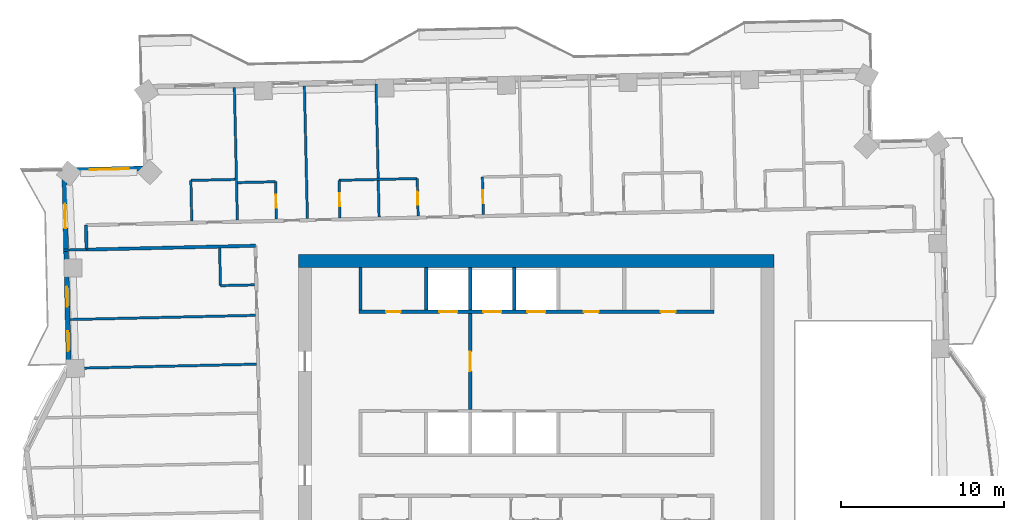
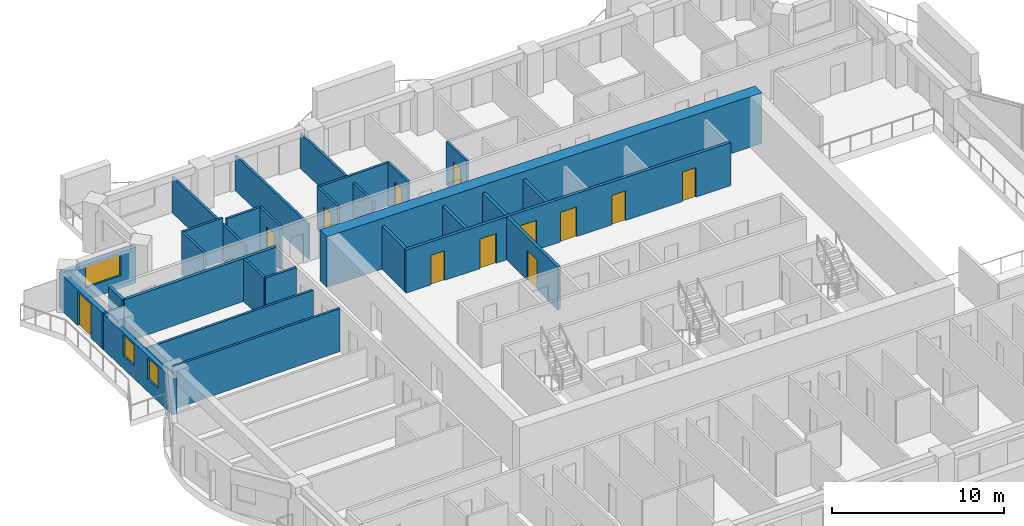
# One storey, part 10 of 16: 27 walls, 12 doors, 3 windows, 15 openings.
"""IFC4 building model written with IfcOpenShell, lengths in metres."""

from ifc_helpers import new_model, si_unit, direction, frame, frame_2d, origin, place, context, subcontext, project, spatial, rectangle, extrude, material, layer, layer_set, type_object, element, fill, save


model = new_model("IFC4")

# Units and contexts
model_context = context("Model", 3, precision=1e-05, world=origin(), true_north=direction((0.0, 1.0)))
body_context = subcontext(model_context, "Body", "Model", "MODEL_VIEW")
ifc_project = project(units=[si_unit("LENGTHUNIT", "METRE"), si_unit("AREAUNIT", "SQUARE_METRE"), si_unit("VOLUMEUNIT", "CUBIC_METRE"), si_unit("PLANEANGLEUNIT", "RADIAN"), si_unit("MASSUNIT", "GRAM", prefix="KILO")], contexts=[model_context])

# Site, building, storey
site_placement = place(None, origin())
site = spatial("IfcSite", under=ifc_project, at=site_placement, CompositionType="ELEMENT")
building_placement = place(site_placement, origin())
building = spatial("IfcBuilding", under=site, at=building_placement, Name="Mangrove Gate Tower", CompositionType="ELEMENT")
storey_placement = place(building_placement, frame((0.0, 0.0, 231.10009765625)))
storey = spatial("IfcBuildingStorey", under=building, at=storey_placement, Name="L58", CompositionType="ELEMENT", Elevation=231.10009765625)

# Wall, opening, door
ifc_material_1 = material(Name="Concrete C32/40", Category="concrete")
ifc_layer_1 = layer(ifc_material_1, 0.199951171875)
ifc_layer_set_1 = layer_set([ifc_layer_1], Name="Core lobby wall 200 C32/40")
wall_type_1 = type_object("IfcWallType", Name="Core lobby wall 200 C32/40", PredefinedType="STANDARD", material=ifc_layer_set_1)
wall_1_placement = place(storey_placement, frame((-4.050048828125, 2.10009765625, 0.0), z_axis=(0.0, 0.0, 1.0), x_axis=(0.0, 1.0, 0.0)))
wall_1 = element("IfcWall", 1, at=wall_1_placement, inside=storey, type_object=wall_type_1, Name="WALL-L58-CORE-33", PredefinedType="STANDARD", context=body_context, shape_type="SweptSolid", body=[
    extrude(rectangle(XDim=5.89990234375, YDim=0.199951171875, at=frame_2d((2.949951171875, 0.0))), origin(), (0.0, 0.0, 1.0), 3.0498046875),
])
opening_1_placement = place(wall_1_placement, frame((2.35009765625, 0.0, 0.0)))
opening_1 = element("IfcOpeningElement", 2, at=opening_1_placement, cuts=wall_1, Name="Opening FL12", PredefinedType="OPENING", context=body_context, shape_type="SweptSolid", body=[
    extrude(rectangle(XDim=1.199951171875, YDim=2.10009765625, at=frame_2d((0.60009765625, 1.050048828125))), frame((0.0, 0.10986328125, 0.0), z_axis=(0.0, -1.0, 0.0), x_axis=(1.0, 0.0, 0.0)), (0.0, 0.0, 1.0), 0.219970703125),
])
ifc_material_2 = material(Name="Fire-rated steel door set", Category="steel")
door_type_1 = type_object("IfcDoorType", Name="Lobby door FD60 1200x2100", OperationType="SINGLE_SWING_LEFT", PredefinedType="DOOR", material=ifc_material_2)
door_1_placement = place(opening_1_placement, origin())
door_1 = element("IfcDoor", 3, at=door_1_placement, inside=storey, type_object=door_type_1, Name="Lobby door lift lobby partition", OperationType="SINGLE_SWING_LEFT", OverallHeight=2.10009765625, OverallWidth=1.199951171875, PredefinedType="DOOR", context=body_context, shape_type="SweptSolid", body=[
    extrude(rectangle(XDim=1.199951171875, YDim=2.10009765625, at=frame_2d((0.60009765625, 1.050048828125))), frame((0.0, 0.02490234375, 0.0), z_axis=(0.0, -1.0, 0.0), x_axis=(1.0, 0.0, 0.0)), (0.0, 0.0, 1.0), 0.050048828125),
])
fill(opening_1, door_1)

# Wall
ifc_material_3 = material(Name="Concrete C32/40", Category="concrete")
ifc_layer_2 = layer(ifc_material_3, 0.199951171875)
ifc_layer_set_2 = layer_set([ifc_layer_2], Name="Core room wall 200 C32/40")
wall_type_2 = type_object("IfcWallType", Name="Core room wall 200 C32/40", PredefinedType="STANDARD", material=ifc_layer_set_2)
wall_2_placement = place(storey_placement, frame((-10.800048828125, 8.199951171875, 0.0), z_axis=(0.0, 0.0, 1.0), x_axis=(0.0, 1.0, 0.0)))
element("IfcWall", 4, at=wall_2_placement, inside=storey, type_object=wall_type_2, Name="WALL-L58-CORE-26", PredefinedType="STANDARD", context=body_context, shape_type="SweptSolid", body=[
    extrude(rectangle(XDim=2.60009765625, YDim=0.199951171875, at=frame_2d((1.300048828125, 0.0))), origin(), (0.0, 0.0, 1.0), 3.0498046875),
])

# Wall, openings, doors
ifc_material_4 = material(Name="Concrete C60/75", Category="concrete")
ifc_layer_3 = layer(ifc_material_4, 0.199951171875)
ifc_layer_set_3 = layer_set([ifc_layer_3], Name="Core shaft wall 200 C60/75")
wall_type_3 = type_object("IfcWallType", Name="Core shaft wall 200 C60/75", PredefinedType="SHEAR", material=ifc_layer_set_3)
wall_3_placement = place(storey_placement, frame((-10.89990234375, 8.10009765625, 0.0), z_axis=(0.0, 0.0, 1.0), x_axis=(1.0, 0.0, 0.0)))
wall_3 = element("IfcWall", 5, at=wall_3_placement, inside=storey, type_object=wall_type_3, Name="WALL-L58-CORE-8", PredefinedType="SHEAR", context=body_context, shape_type="SweptSolid", body=[
    extrude(rectangle(XDim=21.7998046875, YDim=0.199951171875, at=frame_2d((10.89990234375, 0.0))), origin(), (0.0, 0.0, 1.0), 3.0498046875),
])
opening_2_placement = place(wall_3_placement, frame((4.949951171875, 0.0, 0.0)))
opening_2 = element("IfcOpeningElement", 6, at=opening_2_placement, cuts=wall_3, Name="Opening LD", PredefinedType="OPENING", context=body_context, shape_type="SweptSolid", body=[
    extrude(rectangle(XDim=1.10009765625, YDim=2.10009765625, at=frame_2d((0.550048828125, 1.050048828125))), frame((0.0, 0.10986328125, 0.0), z_axis=(0.0, -1.0, 0.0), x_axis=(1.0, 0.0, 0.0)), (0.0, 0.0, 1.0), 0.219970703125),
])
opening_3_placement = place(wall_3_placement, frame((7.64990234375, 0.0, 0.0)))
opening_3 = element("IfcOpeningElement", 7, at=opening_3_placement, cuts=wall_3, Name="Opening LD", PredefinedType="OPENING", context=body_context, shape_type="SweptSolid", body=[
    extrude(rectangle(XDim=1.10009765625, YDim=2.10009765625, at=frame_2d((0.550048828125, 1.050048828125))), frame((0.0, 0.10986328125, 0.0), z_axis=(0.0, -1.0, 0.0), x_axis=(1.0, 0.0, 0.0)), (0.0, 0.0, 1.0), 0.219970703125),
])
opening_4_placement = place(wall_3_placement, frame((10.35009765625, 0.0, 0.0)))
opening_4 = element("IfcOpeningElement", 8, at=opening_4_placement, cuts=wall_3, Name="Opening LD", PredefinedType="OPENING", context=body_context, shape_type="SweptSolid", body=[
    extrude(rectangle(XDim=1.10009765625, YDim=2.10009765625, at=frame_2d((0.550048828125, 1.050048828125))), frame((0.0, 0.10986328125, 0.0), z_axis=(0.0, -1.0, 0.0), x_axis=(1.0, 0.0, 0.0)), (0.0, 0.0, 1.0), 0.219970703125),
])
opening_5_placement = place(wall_3_placement, frame((1.675048828125, 0.0, 0.0)))
opening_5 = element("IfcOpeningElement", 9, at=opening_5_placement, cuts=wall_3, Name="Opening KD", PredefinedType="OPENING", context=body_context, shape_type="SweptSolid", body=[
    extrude(rectangle(XDim=0.89990234375, YDim=2.10009765625, at=frame_2d((0.449951171875, 1.050048828125))), frame((0.0, 0.10986328125, 0.0), z_axis=(0.0, -1.0, 0.0), x_axis=(1.0, 0.0, 0.0)), (0.0, 0.0, 1.0), 0.219970703125),
])
opening_6_placement = place(wall_3_placement, frame((13.824951171875, 0.0, 0.0)))
opening_6 = element("IfcOpeningElement", 10, at=opening_6_placement, cuts=wall_3, Name="Opening KD", PredefinedType="OPENING", context=body_context, shape_type="SweptSolid", body=[
    extrude(rectangle(XDim=0.89990234375, YDim=2.10009765625, at=frame_2d((0.449951171875, 1.050048828125))), frame((0.0, 0.10986328125, 0.0), z_axis=(0.0, -1.0, 0.0), x_axis=(1.0, 0.0, 0.0)), (0.0, 0.0, 1.0), 0.219970703125),
])
opening_7_placement = place(wall_3_placement, frame((18.550048828125, 0.0, 0.0)))
opening_7 = element("IfcOpeningElement", 11, at=opening_7_placement, cuts=wall_3, Name="Opening RD", PredefinedType="OPENING", context=body_context, shape_type="SweptSolid", body=[
    extrude(rectangle(XDim=0.89990234375, YDim=2.10009765625, at=frame_2d((0.449951171875, 1.050048828125))), frame((0.0, 0.10986328125, 0.0), z_axis=(0.0, -1.0, 0.0), x_axis=(1.0, 0.0, 0.0)), (0.0, 0.0, 1.0), 0.219970703125),
])
ifc_material_5 = material(Name="Fire-rated steel door set", Category="steel")
door_type_2 = type_object("IfcDoorType", Name="Core room door FD30S 900x2100", OperationType="SINGLE_SWING_RIGHT", PredefinedType="DOOR", material=ifc_material_5)
door_2_placement = place(opening_5_placement, origin())
door_2 = element("IfcDoor", 12, at=door_2_placement, inside=storey, type_object=door_type_2, Name="Core room door Cleaner's store", OperationType="SINGLE_SWING_RIGHT", OverallHeight=2.10009765625, OverallWidth=0.89990234375, PredefinedType="DOOR", context=body_context, shape_type="SweptSolid", body=[
    extrude(rectangle(XDim=0.89990234375, YDim=2.10009765625, at=frame_2d((0.449951171875, 1.050048828125))), frame((0.0, 0.02490234375, 0.0), z_axis=(0.0, -1.0, 0.0), x_axis=(1.0, 0.0, 0.0)), (0.0, 0.0, 1.0), 0.050048828125),
])
fill(opening_5, door_2)
door_3_placement = place(opening_6_placement, origin())
door_3 = element("IfcDoor", 13, at=door_3_placement, inside=storey, type_object=door_type_2, Name="Core room door Refuse store", OperationType="SINGLE_SWING_RIGHT", OverallHeight=2.10009765625, OverallWidth=0.89990234375, PredefinedType="DOOR", context=body_context, shape_type="SweptSolid", body=[
    extrude(rectangle(XDim=0.89990234375, YDim=2.10009765625, at=frame_2d((0.449951171875, 1.050048828125))), frame((0.0, 0.02490234375, 0.0), z_axis=(0.0, -1.0, 0.0), x_axis=(1.0, 0.0, 0.0)), (0.0, 0.0, 1.0), 0.050048828125),
])
fill(opening_6, door_3)
ifc_material_6 = material(Name="Stainless steel 316", Category="steel")
door_type_3 = type_object("IfcDoorType", Name="Lift landing door 1100x2100", OperationType="SLIDING_TO_LEFT", PredefinedType="DOOR", material=ifc_material_6)
door_4_placement = place(opening_2_placement, origin())
door_4 = element("IfcDoor", 14, at=door_4_placement, inside=storey, type_object=door_type_3, Name="Landing door LD H04", OperationType="SLIDING_TO_LEFT", OverallHeight=2.10009765625, OverallWidth=1.10009765625, PredefinedType="DOOR", context=body_context, shape_type="SweptSolid", body=[
    extrude(rectangle(XDim=1.10009765625, YDim=2.10009765625, at=frame_2d((0.550048828125, 1.050048828125))), frame((0.0, 0.02490234375, 0.0), z_axis=(0.0, -1.0, 0.0), x_axis=(1.0, 0.0, 0.0)), (0.0, 0.0, 1.0), 0.050048828125),
])
fill(opening_2, door_4)
door_5_placement = place(opening_3_placement, origin())
door_5 = element("IfcDoor", 15, at=door_5_placement, inside=storey, type_object=door_type_3, Name="Landing door LD H05", OperationType="SLIDING_TO_LEFT", OverallHeight=2.10009765625, OverallWidth=1.10009765625, PredefinedType="DOOR", context=body_context, shape_type="SweptSolid", body=[
    extrude(rectangle(XDim=1.10009765625, YDim=2.10009765625, at=frame_2d((0.550048828125, 1.050048828125))), frame((0.0, 0.02490234375, 0.0), z_axis=(0.0, -1.0, 0.0), x_axis=(1.0, 0.0, 0.0)), (0.0, 0.0, 1.0), 0.050048828125),
])
fill(opening_3, door_5)
door_6_placement = place(opening_4_placement, origin())
door_6 = element("IfcDoor", 16, at=door_6_placement, inside=storey, type_object=door_type_3, Name="Landing door LD H06", OperationType="SLIDING_TO_LEFT", OverallHeight=2.10009765625, OverallWidth=1.10009765625, PredefinedType="DOOR", context=body_context, shape_type="SweptSolid", body=[
    extrude(rectangle(XDim=1.10009765625, YDim=2.10009765625, at=frame_2d((0.550048828125, 1.050048828125))), frame((0.0, 0.02490234375, 0.0), z_axis=(0.0, -1.0, 0.0), x_axis=(1.0, 0.0, 0.0)), (0.0, 0.0, 1.0), 0.050048828125),
])
fill(opening_4, door_6)
ifc_material_7 = material(Name="Fire-rated steel door set", Category="steel")
door_type_4 = type_object("IfcDoorType", Name="Riser door FD30S 900x2100", OperationType="SINGLE_SWING_LEFT", PredefinedType="DOOR", material=ifc_material_7)
door_7_placement = place(opening_7_placement, origin())
door_7 = element("IfcDoor", 17, at=door_7_placement, inside=storey, type_object=door_type_4, Name="Riser door Electrical room", OperationType="SINGLE_SWING_LEFT", OverallHeight=2.10009765625, OverallWidth=0.89990234375, PredefinedType="DOOR", context=body_context, shape_type="SweptSolid", body=[
    extrude(rectangle(XDim=0.89990234375, YDim=2.10009765625, at=frame_2d((0.449951171875, 1.050048828125))), frame((0.0, 0.02490234375, 0.0), z_axis=(0.0, -1.0, 0.0), x_axis=(1.0, 0.0, 0.0)), (0.0, 0.0, 1.0), 0.050048828125),
])
fill(opening_7, door_7)

# Walls
for number, where, z_axis, x_axis, name in (
    (18, (-6.75, 8.199951171875, 0.0), (0.0, 0.0, 1.0), (0.0, 1.0, 0.0), "WALL-L58-CORE-27"),
    (19, (-4.050048828125, 8.199951171875, 0.0), (0.0, 0.0, 1.0), (0.0, 1.0, 0.0), "WALL-L58-CORE-28"),
    (20, (-1.35009765625, 8.199951171875, 0.0), (0.0, 0.0, 1.0), (0.0, 1.0, 0.0), "WALL-L58-CORE-29"),
):
    element("IfcWall", number, at=place(storey_placement, frame(where, z_axis=z_axis, x_axis=x_axis)), inside=storey, type_object=wall_type_3, Name=name, PredefinedType="SHEAR", context=body_context, shape_type="SweptSolid", body=[
        extrude(rectangle(XDim=2.60009765625, YDim=0.199951171875, at=frame_2d((1.300048828125, 0.0))), origin(), (0.0, 0.0, 1.0), 3.0498046875),
    ])
ifc_material_8 = material(Name="Concrete C60/75", Category="concrete")
ifc_layer_4 = layer(ifc_material_8, 0.800048828125)
ifc_layer_set_4 = layer_set([ifc_layer_4], Name="Core wall 800 C60/75")
wall_type_4 = type_object("IfcWallType", Name="Core wall 800 C60/75", PredefinedType="SHEAR", material=ifc_layer_set_4)
wall_4_placement = place(storey_placement, frame((-14.60009765625, 11.199951171875, 0.0), z_axis=(0.0, 0.0, 1.0), x_axis=(1.0, 0.0, 0.0)))
element("IfcWall", 21, at=wall_4_placement, inside=storey, type_object=wall_type_4, Name="WALL-L58-CORE-2", PredefinedType="SHEAR", context=body_context, shape_type="SweptSolid", body=[
    extrude(rectangle(XDim=29.2001953125, YDim=0.800048828125, at=frame_2d((14.60009765625, 0.0))), origin(), (0.0, 0.0, 1.0), 3.599853515625),
])
ifc_material_9 = material(Name="Gypsum board on steel stud, EI 60", Category="steel")
ifc_layer_5 = layer(ifc_material_9, 0.199951171875)
ifc_layer_set_5 = layer_set([ifc_layer_5], Name="Corridor wall EI 60")
wall_type_5 = type_object("IfcWallType", Name="Corridor wall EI 60", PredefinedType="PARTITIONING", material=ifc_layer_set_5)
wall_5_placement = place(storey_placement, frame((-27.617919921875, 11.9130859375, 0.0), z_axis=(0.0, 0.0, 1.0), x_axis=(0.999741483035, 0.022736910479, 0.0)))
element("IfcWall", 22, at=wall_5_placement, inside=storey, type_object=wall_type_5, Name="WALL-L58-048", PredefinedType="PARTITIONING", context=body_context, shape_type="SweptSolid", body=[
    extrude(rectangle(XDim=10.37255859375, YDim=0.199951171875, at=frame_2d((5.186279296875, 0.0))), origin(), (0.0, 0.0, 1.0), 3.0498046875),
])
wall_6_placement = place(storey_placement, frame((-27.614013671875, 11.9130859375, 0.0), z_axis=(0.0, 0.0, 1.0), x_axis=(-0.022617910375, 0.999744182344, 0.0)))
element("IfcWall", 23, at=wall_6_placement, inside=storey, type_object=wall_type_5, Name="WALL-L58-049", PredefinedType="PARTITIONING", context=body_context, shape_type="SweptSolid", body=[
    extrude(rectangle(XDim=1.50048828125, YDim=0.199951171875, at=frame_2d((0.750244140625, 0.0))), origin(), (0.0, 0.0, 1.0), 3.0498046875),
])

# Wall, opening, window
ifc_material_10 = material(Name="Limestone", Category="masonry")
ifc_layer_6 = layer(ifc_material_10, 0.0400390625, Name="Limestone cladding")
ifc_material_11 = material(Name="Ventilated air gap")
ifc_layer_7 = layer(ifc_material_11, 0.0400390625, Name="Ventilated cavity")
ifc_material_12 = material(Name="Mineral wool insulation")
ifc_layer_8 = layer(ifc_material_12, 0.06005859375, Name="Insulation")
ifc_material_13 = material(Name="Breather membrane")
ifc_layer_9 = layer(ifc_material_13, 0.001953125, Name="Breather membrane")
ifc_material_14 = material(Name="Concrete C20/25 blockwork", Category="masonry")
ifc_layer_10 = layer(ifc_material_14, 0.14990234375, Name="Blockwork backing wall")
ifc_material_15 = material(Name="Gypsum plaster")
ifc_layer_11 = layer(ifc_material_15, 0.008056640625, Name="Internal plaster")
ifc_layer_set_6 = layer_set([ifc_layer_6, ifc_layer_7, ifc_layer_8, ifc_layer_9, ifc_layer_10, ifc_layer_11], Name="External wall 300 limestone cladding")
wall_type_6 = type_object("IfcWallType", Name="External wall 300 limestone cladding", PredefinedType="SOLIDWALL", material=ifc_layer_set_6)
wall_7_placement = place(storey_placement, frame((-23.98095703125, 16.89697265625, 0.0), z_axis=(0.0, 0.0, 1.0), x_axis=(-0.999744350543, -0.022610474516, 0.0)))
wall_7 = element("IfcWall", 24, at=wall_7_placement, inside=storey, type_object=wall_type_6, Name="WALL-L58-N7", PredefinedType="SOLIDWALL", context=body_context, shape_type="SweptSolid", body=[
    extrude(rectangle(XDim=4.999267578125, YDim=0.300048828125, at=frame_2d((2.49951171875, 0.0))), origin(), (0.0, 0.0, 1.0), 2.5498046875),
])
opening_8_placement = place(wall_7_placement, frame((1.0439453125, 0.0, 0.89990234375)))
opening_8 = element("IfcOpeningElement", 25, at=opening_8_placement, cuts=wall_7, Name="Opening W2", PredefinedType="OPENING", context=body_context, shape_type="SweptSolid", body=[
    extrude(rectangle(XDim=2.39990234375, YDim=1.5, at=frame_2d((1.199951171875, 0.75))), frame((0.0, 0.159912109375, 0.0), z_axis=(0.0, -1.0, 0.0), x_axis=(1.0, 0.0, 0.0)), (0.0, 0.0, 1.0), 0.320068359375),
])
ifc_material_16 = material(Name="Aluminium frame with double-glazed low-e glass", Category="aluminium")
window_type_1 = type_object("IfcWindowType", Name="Corner room window 2400x1500", PartitioningType="DOUBLE_PANEL_VERTICAL", PredefinedType="WINDOW", material=ifc_material_16)
window_1_placement = place(opening_8_placement, origin())
window_1 = element("IfcWindow", 26, at=window_1_placement, inside=storey, type_object=window_type_1, Name="WIN-L58-N7-1", OverallHeight=1.5, OverallWidth=2.39990234375, PartitioningType="DOUBLE_PANEL_VERTICAL", PredefinedType="WINDOW", context=body_context, shape_type="SweptSolid", body=[
    extrude(rectangle(XDim=2.39990234375, YDim=1.5, at=frame_2d((1.199951171875, 0.75))), frame((0.0, 0.030029296875, 0.0), z_axis=(0.0, -1.0, 0.0), x_axis=(1.0, 0.0, 0.0)), (0.0, 0.0, 1.0), 0.06005859375),
])
fill(opening_8, window_1)

# Wall, openings, door, windows
wall_8_placement = place(storey_placement, frame((-28.97900390625, 16.783935546875, 0.0), z_axis=(0.0, 0.0, 1.0), x_axis=(0.022640773908, -0.999743664825, 0.0)))
wall_8 = element("IfcWall", 27, at=wall_8_placement, inside=storey, type_object=wall_type_6, Name="WALL-L58-W8s1", PredefinedType="SOLIDWALL", context=body_context, shape_type="SweptSolid", body=[
    extrude(rectangle(XDim=12.72412109375, YDim=0.300048828125, at=frame_2d((6.362060546875, 0.0))), origin(), (0.0, 0.0, 1.0), 2.5498046875),
])
opening_9_placement = place(wall_8_placement, frame((2.06005859375, 0.0, 0.0)))
opening_9 = element("IfcOpeningElement", 28, at=opening_9_placement, cuts=wall_8, Name="Opening BD1", PredefinedType="OPENING", context=body_context, shape_type="SweptSolid", body=[
    extrude(rectangle(XDim=1.5, YDim=2.39990234375, at=frame_2d((0.75, 1.199951171875))), frame((0.0, 0.159912109375, 0.0), z_axis=(0.0, -1.0, 0.0), x_axis=(1.0, 0.0, 0.0)), (0.0, 0.0, 1.0), 0.320068359375),
])
opening_10_placement = place(wall_8_placement, frame((7.1689453125, 0.0, 0.89990234375)))
opening_10 = element("IfcOpeningElement", 29, at=opening_10_placement, cuts=wall_8, Name="Opening W1", PredefinedType="OPENING", context=body_context, shape_type="SweptSolid", body=[
    extrude(rectangle(XDim=1.199951171875, YDim=1.5, at=frame_2d((0.60009765625, 0.75))), frame((0.0, 0.159912109375, 0.0), z_axis=(0.0, -1.0, 0.0), x_axis=(1.0, 0.0, 0.0)), (0.0, 0.0, 1.0), 0.320068359375),
])
opening_11_placement = place(wall_8_placement, frame((9.89892578125, 0.0, 0.89990234375)))
opening_11 = element("IfcOpeningElement", 30, at=opening_11_placement, cuts=wall_8, Name="Opening W1", PredefinedType="OPENING", context=body_context, shape_type="SweptSolid", body=[
    extrude(rectangle(XDim=1.199951171875, YDim=1.5, at=frame_2d((0.60009765625, 0.75))), frame((0.0, 0.159912109375, 0.0), z_axis=(0.0, -1.0, 0.0), x_axis=(1.0, 0.0, 0.0)), (0.0, 0.0, 1.0), 0.320068359375),
])
ifc_material_17 = material(Name="Aluminium frame with laminated clear glass", Category="aluminium")
door_type_5 = type_object("IfcDoorType", Name="Balcony sliding door 1500x2400", OperationType="SLIDING_TO_LEFT", PredefinedType="DOOR", material=ifc_material_17)
door_8_placement = place(opening_9_placement, origin())
door_8 = element("IfcDoor", 31, at=door_8_placement, inside=storey, type_object=door_type_5, Name="DOOR-L58-W8-1", OperationType="SLIDING_TO_LEFT", OverallHeight=2.39990234375, OverallWidth=1.5, PredefinedType="DOOR", context=body_context, shape_type="SweptSolid", body=[
    extrude(rectangle(XDim=1.5, YDim=2.39990234375, at=frame_2d((0.75, 1.199951171875))), frame((0.0, 0.02490234375, 0.0), z_axis=(0.0, -1.0, 0.0), x_axis=(1.0, 0.0, 0.0)), (0.0, 0.0, 1.0), 0.050048828125),
])
fill(opening_9, door_8)
ifc_material_18 = material(Name="Aluminium frame with double-glazed low-e glass", Category="aluminium")
window_type_2 = type_object("IfcWindowType", Name="Side lite 1200x1500", PartitioningType="SINGLE_PANEL", PredefinedType="WINDOW", material=ifc_material_18)
window_2_placement = place(opening_10_placement, origin())
window_2 = element("IfcWindow", 32, at=window_2_placement, inside=storey, type_object=window_type_2, Name="WIN-L58-W8-2", OverallHeight=1.5, OverallWidth=1.199951171875, PartitioningType="SINGLE_PANEL", PredefinedType="WINDOW", context=body_context, shape_type="SweptSolid", body=[
    extrude(rectangle(XDim=1.199951171875, YDim=1.5, at=frame_2d((0.60009765625, 0.75))), frame((0.0, 0.030029296875, 0.0), z_axis=(0.0, -1.0, 0.0), x_axis=(1.0, 0.0, 0.0)), (0.0, 0.0, 1.0), 0.06005859375),
])
fill(opening_10, window_2)
window_3_placement = place(opening_11_placement, origin())
window_3 = element("IfcWindow", 33, at=window_3_placement, inside=storey, type_object=window_type_2, Name="WIN-L58-W8-3", OverallHeight=1.5, OverallWidth=1.199951171875, PartitioningType="SINGLE_PANEL", PredefinedType="WINDOW", context=body_context, shape_type="SweptSolid", body=[
    extrude(rectangle(XDim=1.199951171875, YDim=1.5, at=frame_2d((0.60009765625, 0.75))), frame((0.0, 0.030029296875, 0.0), z_axis=(0.0, -1.0, 0.0), x_axis=(1.0, 0.0, 0.0)), (0.0, 0.0, 1.0), 0.06005859375),
])
fill(opening_11, window_3)

# Walls
ifc_material_19 = material(Name="Gypsum board on steel stud, EI 60", Category="steel")
ifc_layer_12 = layer(ifc_material_19, 0.14990234375)
ifc_layer_set_7 = layer_set([ifc_layer_12], Name="Party wall 150 EI 60")
wall_type_7 = type_object("IfcWallType", Name="Party wall 150 EI 60", PredefinedType="PARTITIONING", material=ifc_layer_set_7)
wall_9_placement = place(storey_placement, frame((-28.553955078125, 4.6201171875, 0.0), z_axis=(0.0, 0.0, 1.0), x_axis=(0.999743064147, 0.022667282356, 0.0)))
element("IfcWall", 34, at=wall_9_placement, inside=storey, type_object=wall_type_7, Name="WALL-L58-042", PredefinedType="PARTITIONING", context=body_context, shape_type="SweptSolid", body=[
    extrude(rectangle(XDim=11.373779296875, YDim=0.14990234375, at=frame_2d((5.68701171875, 0.0))), origin(), (0.0, 0.0, 1.0), 3.0498046875),
])
wall_10_placement = place(storey_placement, frame((-28.62109375, 7.618896484375, 0.0), z_axis=(0.0, 0.0, 1.0), x_axis=(0.999742544331, 0.022690197315, 0.0)))
element("IfcWall", 35, at=wall_10_placement, inside=storey, type_object=wall_type_7, Name="WALL-L58-044", PredefinedType="PARTITIONING", context=body_context, shape_type="SweptSolid", body=[
    extrude(rectangle(XDim=11.373046875, YDim=0.14990234375, at=frame_2d((5.6865234375, 0.0))), origin(), (0.0, 0.0, 1.0), 2.5498046875),
])
wall_11_placement = place(storey_placement, frame((-19.39306640625, 9.698974609375, 0.0), z_axis=(0.0, 0.0, 1.0), x_axis=(0.999737616439, 0.022906293375, 0.0)))
element("IfcWall", 36, at=wall_11_placement, inside=storey, type_object=wall_type_7, Name="WALL-L58-045", PredefinedType="PARTITIONING", context=body_context, shape_type="SweptSolid", body=[
    extrude(rectangle(XDim=2.099609375, YDim=0.14990234375, at=frame_2d((1.0498046875, 0.0))), origin(), (0.0, 0.0, 1.0), 3.0498046875),
])
wall_12_placement = place(storey_placement, frame((-19.39208984375, 9.698974609375, 0.0), z_axis=(0.0, 0.0, 1.0), x_axis=(-0.022603288534, 0.999744513037, 0.0)))
element("IfcWall", 37, at=wall_12_placement, inside=storey, type_object=wall_type_7, Name="WALL-L58-046", PredefinedType="PARTITIONING", context=body_context, shape_type="SweptSolid", body=[
    extrude(rectangle(XDim=2.300537109375, YDim=0.14990234375, at=frame_2d((1.150390625, 0.0))), origin(), (0.0, 0.0, 1.0), 3.0498046875),
])
wall_13_placement = place(storey_placement, frame((-29.01806640625, 11.881103515625, 0.0), z_axis=(0.0, 0.0, 1.0), x_axis=(0.999740667531, 0.022772739949, 0.0)))
element("IfcWall", 38, at=wall_13_placement, inside=storey, type_object=wall_type_7, Name="WALL-L58-047", PredefinedType="PARTITIONING", context=body_context, shape_type="SweptSolid", body=[
    extrude(rectangle(XDim=1.404296875, YDim=0.14990234375, at=frame_2d((0.7021484375, 0.0))), origin(), (0.0, 0.0, 1.0), 2.5498046875),
])
wall_14_placement = place(storey_placement, frame((-21.152099609375, 13.659912109375, 0.0), z_axis=(0.0, 0.0, 1.0), x_axis=(-0.02274801823, 0.999741230352, 0.0)))
element("IfcWall", 39, at=wall_14_placement, inside=storey, type_object=wall_type_7, Name="WALL-L58-054", PredefinedType="PARTITIONING", context=body_context, shape_type="SweptSolid", body=[
    extrude(rectangle(XDim=2.500732421875, YDim=0.14990234375, at=frame_2d((1.25048828125, 0.0))), origin(), (0.0, 0.0, 1.0), 3.0498046875),
])
wall_15_placement = place(storey_placement, frame((-18.35302734375, 13.72412109375, 0.0), z_axis=(0.0, 0.0, 1.0), x_axis=(-0.022706435224, 0.999742175663, 0.0)))
element("IfcWall", 40, at=wall_15_placement, inside=storey, type_object=wall_type_7, Name="WALL-L58-055", PredefinedType="PARTITIONING", context=body_context, shape_type="SweptSolid", body=[
    extrude(rectangle(XDim=8.150146484375, YDim=0.14990234375, at=frame_2d((4.0751953125, 0.0))), origin(), (0.0, 0.0, 1.0), 2.5498046875),
])

# Wall, opening, door
wall_16_placement = place(storey_placement, frame((-15.9541015625, 13.778076171875, 0.0), z_axis=(0.0, 0.0, 1.0), x_axis=(-0.022605686808, 0.999744458811, 0.0)))
wall_16 = element("IfcWall", 41, at=wall_16_placement, inside=storey, type_object=wall_type_7, Name="WALL-L58-056", PredefinedType="PARTITIONING", context=body_context, shape_type="SweptSolid", body=[
    extrude(rectangle(XDim=2.30029296875, YDim=0.14990234375, at=frame_2d((1.150146484375, 0.0))), origin(), (0.0, 0.0, 1.0), 3.0498046875),
])
opening_12_placement = place(wall_16_placement, frame((0.699951171875, 0.0, 0.0)))
opening_12 = element("IfcOpeningElement", 42, at=opening_12_placement, cuts=wall_16, Name="Opening ED", PredefinedType="OPENING", context=body_context, shape_type="SweptSolid", body=[
    extrude(rectangle(XDim=0.800048828125, YDim=2.10009765625, at=frame_2d((0.39990234375, 1.050048828125))), frame((0.0, 0.0849609375, 0.0), z_axis=(0.0, -1.0, 0.0), x_axis=(1.0, 0.0, 0.0)), (0.0, 0.0, 1.0), 0.169921875),
])
ifc_material_20 = material(Name="Timber door leaf", Category="wood")
door_type_6 = type_object("IfcDoorType", Name="En-suite door 800", OperationType="SINGLE_SWING_LEFT", PredefinedType="DOOR", material=ifc_material_20)
door_9_placement = place(opening_12_placement, origin())
door_9 = element("IfcDoor", 43, at=door_9_placement, inside=storey, type_object=door_type_6, Name="DOOR-L58-ENS-c516", OperationType="SINGLE_SWING_RIGHT", OverallHeight=2.10009765625, OverallWidth=0.800048828125, PredefinedType="DOOR", context=body_context, shape_type="SweptSolid", body=[
    extrude(rectangle(XDim=0.800048828125, YDim=2.10009765625, at=frame_2d((0.39990234375, 1.050048828125))), frame((0.0, 0.02490234375, 0.0), z_axis=(0.0, -1.0, 0.0), x_axis=(1.0, 0.0, 0.0)), (0.0, 0.0, 1.0), 0.050048828125),
])
fill(opening_12, door_9)

# Wall
wall_17_placement = place(storey_placement, frame((-14.053955078125, 13.821044921875, 0.0), z_axis=(0.0, 0.0, 1.0), x_axis=(-0.022706435224, 0.999742175663, 0.0)))
element("IfcWall", 44, at=wall_17_placement, inside=storey, type_object=wall_type_7, Name="WALL-L58-057", PredefinedType="PARTITIONING", context=body_context, shape_type="SweptSolid", body=[
    extrude(rectangle(XDim=8.150146484375, YDim=0.14990234375, at=frame_2d((4.0751953125, 0.0))), origin(), (0.0, 0.0, 1.0), 2.5),
])

# Wall, opening, door
wall_18_placement = place(storey_placement, frame((-12.054931640625, 13.866943359375, 0.0), z_axis=(0.0, 0.0, 1.0), x_axis=(-0.022612884682, 0.999744296031, 0.0)))
wall_18 = element("IfcWall", 45, at=wall_18_placement, inside=storey, type_object=wall_type_7, Name="WALL-L58-058", PredefinedType="PARTITIONING", context=body_context, shape_type="SweptSolid", body=[
    extrude(rectangle(XDim=2.299560546875, YDim=0.14990234375, at=frame_2d((1.14990234375, 0.0))), origin(), (0.0, 0.0, 1.0), 3.0498046875),
])
opening_13_placement = place(wall_18_placement, frame((0.699951171875, 0.0, 0.0)))
opening_13 = element("IfcOpeningElement", 46, at=opening_13_placement, cuts=wall_18, Name="Opening ED", PredefinedType="OPENING", context=body_context, shape_type="SweptSolid", body=[
    extrude(rectangle(XDim=0.800048828125, YDim=2.10009765625, at=frame_2d((0.39990234375, 1.050048828125))), frame((0.0, 0.0849609375, 0.0), z_axis=(0.0, -1.0, 0.0), x_axis=(1.0, 0.0, 0.0)), (0.0, 0.0, 1.0), 0.169921875),
])
door_10_placement = place(opening_13_placement, origin())
door_10 = element("IfcDoor", 47, at=door_10_placement, inside=storey, type_object=door_type_6, Name="DOOR-L58-ENS-c515", OperationType="SINGLE_SWING_LEFT", OverallHeight=2.10009765625, OverallWidth=0.800048828125, PredefinedType="DOOR", context=body_context, shape_type="SweptSolid", body=[
    extrude(rectangle(XDim=0.800048828125, YDim=2.10009765625, at=frame_2d((0.39990234375, 1.050048828125))), frame((0.0, 0.02490234375, 0.0), z_axis=(0.0, -1.0, 0.0), x_axis=(1.0, 0.0, 0.0)), (0.0, 0.0, 1.0), 0.050048828125),
])
fill(opening_13, door_10)

# Wall
wall_19_placement = place(storey_placement, frame((-9.655029296875, 13.9208984375, 0.0), z_axis=(0.0, 0.0, 1.0), x_axis=(-0.022705755232, 0.999742191107, 0.0)))
element("IfcWall", 48, at=wall_19_placement, inside=storey, type_object=wall_type_7, Name="WALL-L58-059", PredefinedType="PARTITIONING", context=body_context, shape_type="SweptSolid", body=[
    extrude(rectangle(XDim=8.150390625, YDim=0.14990234375, at=frame_2d((4.0751953125, 0.0))), origin(), (0.0, 0.0, 1.0), 2.5),
])

# Wall, opening, door
wall_20_placement = place(storey_placement, frame((-7.256103515625, 13.97607421875, 0.0), z_axis=(0.0, 0.0, 1.0), x_axis=(-0.022615284993, 0.999744241736, 0.0)))
wall_20 = element("IfcWall", 49, at=wall_20_placement, inside=storey, type_object=wall_type_7, Name="WALL-L58-060", PredefinedType="PARTITIONING", context=body_context, shape_type="SweptSolid", body=[
    extrude(rectangle(XDim=2.29931640625, YDim=0.14990234375, at=frame_2d((1.149658203125, 0.0))), origin(), (0.0, 0.0, 1.0), 3.0498046875),
])
opening_14_placement = place(wall_20_placement, frame((0.699951171875, 0.0, 0.0)))
opening_14 = element("IfcOpeningElement", 50, at=opening_14_placement, cuts=wall_20, Name="Opening ED", PredefinedType="OPENING", context=body_context, shape_type="SweptSolid", body=[
    extrude(rectangle(XDim=0.800048828125, YDim=2.10009765625, at=frame_2d((0.39990234375, 1.050048828125))), frame((0.0, 0.0849609375, 0.0), z_axis=(0.0, -1.0, 0.0), x_axis=(1.0, 0.0, 0.0)), (0.0, 0.0, 1.0), 0.169921875),
])
door_11_placement = place(opening_14_placement, origin())
door_11 = element("IfcDoor", 51, at=door_11_placement, inside=storey, type_object=door_type_6, Name="DOOR-L58-ENS-c514", OperationType="SINGLE_SWING_RIGHT", OverallHeight=2.10009765625, OverallWidth=0.800048828125, PredefinedType="DOOR", context=body_context, shape_type="SweptSolid", body=[
    extrude(rectangle(XDim=0.800048828125, YDim=2.10009765625, at=frame_2d((0.39990234375, 1.050048828125))), frame((0.0, 0.02490234375, 0.0), z_axis=(0.0, -1.0, 0.0), x_axis=(1.0, 0.0, 0.0)), (0.0, 0.0, 1.0), 0.050048828125),
])
fill(opening_14, door_11)

wall_21_placement = place(storey_placement, frame((-3.257080078125, 14.06591796875, 0.0), z_axis=(0.0, 0.0, 1.0), x_axis=(-0.022603288534, 0.999744513037, 0.0)))
wall_21 = element("IfcWall", 52, at=wall_21_placement, inside=storey, type_object=wall_type_7, Name="WALL-L58-062", PredefinedType="PARTITIONING", context=body_context, shape_type="SweptSolid", body=[
    extrude(rectangle(XDim=2.300537109375, YDim=0.14990234375, at=frame_2d((1.150390625, 0.0))), origin(), (0.0, 0.0, 1.0), 3.0498046875),
])
opening_15_placement = place(wall_21_placement, frame((0.699951171875, 0.0, 0.0)))
opening_15 = element("IfcOpeningElement", 53, at=opening_15_placement, cuts=wall_21, Name="Opening ED", PredefinedType="OPENING", context=body_context, shape_type="SweptSolid", body=[
    extrude(rectangle(XDim=0.800048828125, YDim=2.10009765625, at=frame_2d((0.39990234375, 1.050048828125))), frame((0.0, 0.0849609375, 0.0), z_axis=(0.0, -1.0, 0.0), x_axis=(1.0, 0.0, 0.0)), (0.0, 0.0, 1.0), 0.169921875),
])
door_12_placement = place(opening_15_placement, origin())
door_12 = element("IfcDoor", 54, at=door_12_placement, inside=storey, type_object=door_type_6, Name="DOOR-L58-ENS-c413", OperationType="SINGLE_SWING_LEFT", OverallHeight=2.10009765625, OverallWidth=0.800048828125, PredefinedType="DOOR", context=body_context, shape_type="SweptSolid", body=[
    extrude(rectangle(XDim=0.800048828125, YDim=2.10009765625, at=frame_2d((0.39990234375, 1.050048828125))), frame((0.0, 0.02490234375, 0.0), z_axis=(0.0, -1.0, 0.0), x_axis=(1.0, 0.0, 0.0)), (0.0, 0.0, 1.0), 0.050048828125),
])
fill(opening_15, door_12)

# Walls
wall_22_placement = place(storey_placement, frame((-18.333984375, 16.02490234375, 0.0), z_axis=(0.0, 0.0, 1.0), x_axis=(0.999740260747, 0.02279059109, 0.0)))
element("IfcWall", 55, at=wall_22_placement, inside=storey, type_object=wall_type_7, Name="WALL-L58-073", PredefinedType="PARTITIONING", context=body_context, shape_type="SweptSolid", body=[
    extrude(rectangle(XDim=2.324462890625, YDim=0.14990234375, at=frame_2d((1.162109375, 0.0))), origin(), (0.0, 0.0, 1.0), 3.0498046875),
])
wall_23_placement = place(storey_placement, frame((-12.111083984375, 16.166015625, 0.0), z_axis=(0.0, 0.0, 1.0), x_axis=(0.999742701292, 0.022683280499, 0.0)))
element("IfcWall", 56, at=wall_23_placement, inside=storey, type_object=wall_type_7, Name="WALL-L58-074", PredefinedType="PARTITIONING", context=body_context, shape_type="SweptSolid", body=[
    extrude(rectangle(XDim=4.80029296875, YDim=0.14990234375, at=frame_2d((2.400146484375, 0.0))), origin(), (0.0, 0.0, 1.0), 3.0498046875),
])
wall_24_placement = place(storey_placement, frame((-21.212890625, 16.159912109375, 0.0), z_axis=(0.0, 0.0, 1.0), x_axis=(0.999749047428, 0.022401833993, 0.0)))
element("IfcWall", 57, at=wall_24_placement, inside=storey, type_object=wall_type_7, Name="WALL-L58-078", PredefinedType="PARTITIONING", context=body_context, shape_type="SweptSolid", body=[
    extrude(rectangle(XDim=2.724609375, YDim=0.14990234375, at=frame_2d((1.3623046875, 0.0))), origin(), (0.0, 0.0, 1.0), 3.0498046875),
])

save(model, "model.ifc")
